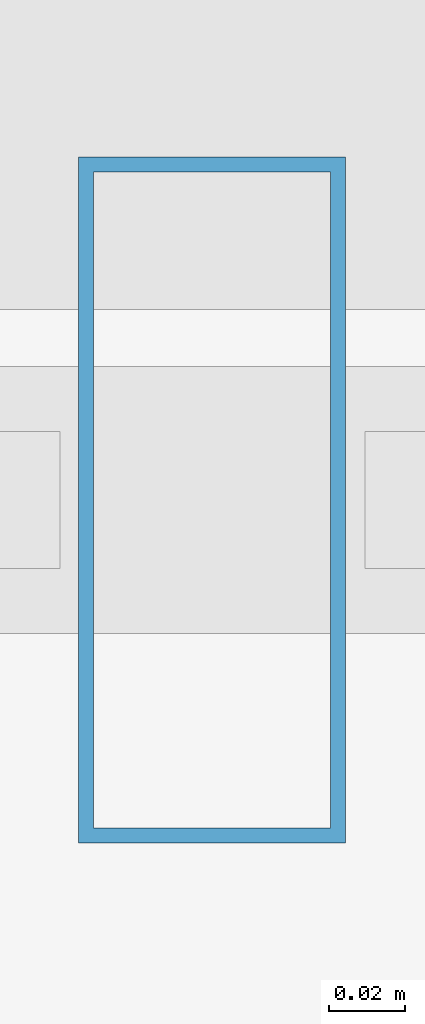
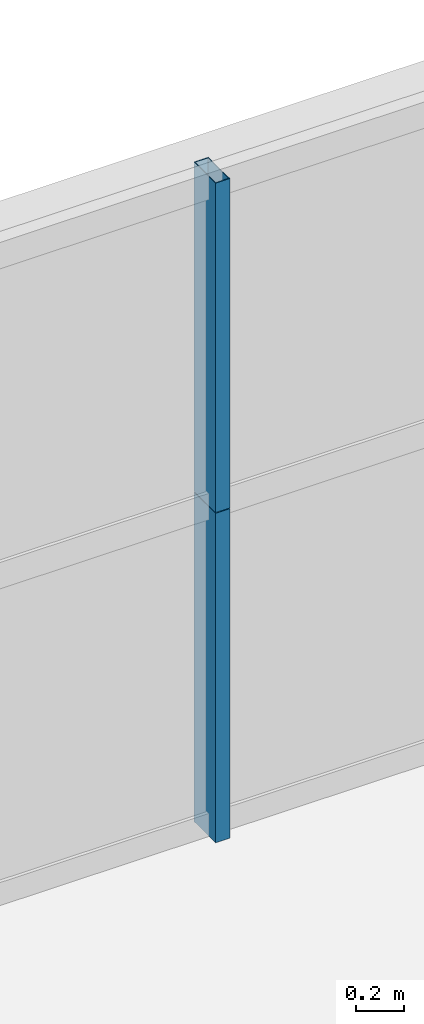
# One storey, part 27 of 45: 2 members, 1 element without a shape of its own.
"""IFC4 building model written with IfcOpenShell, lengths in metres."""

from ifc_helpers import new_model, si_unit, direction, frame, origin, origin_2d, place, context, subcontext, project, spatial, hollow_rectangle, extrude, source, transform, mapped, material, layer, layer_set, material_profile, profile_set, type_object, element, aggregate, save


model = new_model("IFC4")

# Units and contexts
model_context = context("Model", 3, precision=1e-05, world=origin(), true_north=direction((0.0, 1.0)))
body_context = subcontext(model_context, "Body", "Model", "MODEL_VIEW")
ifc_project = project(units=[si_unit("LENGTHUNIT", "METRE"), si_unit("AREAUNIT", "SQUARE_METRE"), si_unit("VOLUMEUNIT", "CUBIC_METRE"), si_unit("PLANEANGLEUNIT", "RADIAN"), si_unit("MASSUNIT", "GRAM", prefix="KILO"), si_unit("THERMODYNAMICTEMPERATUREUNIT", "KELVIN"), si_unit("POWERUNIT", "WATT")], contexts=[model_context])

# Site, building, storey
site_placement = place(None, origin())
site = spatial("IfcSite", under=ifc_project, at=site_placement, CompositionType="ELEMENT")
building_placement = place(site_placement, origin())
building = spatial("IfcBuilding", under=site, at=building_placement, Name="Yuzanri Waterfront Tower", CompositionType="ELEMENT")
storey_placement = place(building_placement, frame((0.0, 0.0, 30.60009765625)))
storey = spatial("IfcBuildingStorey", under=building, at=storey_placement, Name="L07", CompositionType="ELEMENT", Elevation=30.60009765625)

# Curtain wall, members
ifc_material_1 = material(Name="Anodized Architectural Bronze", Category="metal")
ifc_layer = layer(ifc_material_1, 0.159912109375)
ifc_layer_set = layer_set([ifc_layer], Name="Anodized Architectural Bronze")
curtain_wall_type = type_object("IfcCurtainWallType", Name="Anodized Bronze Hotel Lower-Tier Recessed Unitized Curtain Wall 8100", PredefinedType="NOTDEFINED", material=ifc_layer_set)
curtain_wall_placement = place(storey_placement, origin())
curtain_wall = element("IfcCurtainWall", 1, at=curtain_wall_placement, inside=storey, type_object=curtain_wall_type, Name="L07 Curtain Wall CW-L07-NL", PredefinedType="NOTDEFINED")
ifc_material_2 = material(Name="Anodized Architectural Bronze", Category="metal")
ifc_material_profile = material_profile(ifc_material_2, hollow_rectangle(XDim=0.070068359375, YDim=0.179931640625, WallThickness=0.00390625, at=origin_2d()), Name="CWM 70x180")
ifc_profile_set = profile_set([ifc_material_profile], Name="Anodized Architectural Bronze")
member_type = type_object("IfcMemberType", Name="Anodized Bronze Standard Curtain-Wall Mullion 70x180", PredefinedType="MULLION", material=ifc_profile_set)
shared_shape = source(origin(), body_context, "Body", "SweptSolid", [
    extrude(hollow_rectangle(XDim=0.070068359375, YDim=0.179931640625, WallThickness=0.00390625, at=origin_2d()), origin(), (0.0, 0.0, 1.0), 1.68798828125),
])
member_1_placement = place(storey_placement, frame((27.89990234375, 50.75, 0.0), z_axis=(0.0, 0.0, 1.0), x_axis=(1.0, 0.0, 0.0)))
member_1 = element("IfcMember", 2, at=member_1_placement, type_object=member_type, Name="CW-L07-NL Lower Mullion 01", PredefinedType="MULLION", context=body_context, shape_type="MappedRepresentation", body=[
    mapped(shared_shape, transform((0.0, 0.0, 0.0), scale=1.0)),
])
member_2_placement = place(storey_placement, frame((27.89990234375, 50.75, 1.69189453125), z_axis=(0.0, 0.0, 1.0), x_axis=(1.0, 0.0, 0.0)))
member_2 = element("IfcMember", 3, at=member_2_placement, type_object=member_type, Name="CW-L07-NL Upper Mullion 01", PredefinedType="MULLION", context=body_context, shape_type="MappedRepresentation", body=[
    mapped(shared_shape, transform((0.0, 0.0, 0.0), scale=1.0)),
])
aggregate(curtain_wall, [member_1, member_2])

save(model, "model.ifc")
